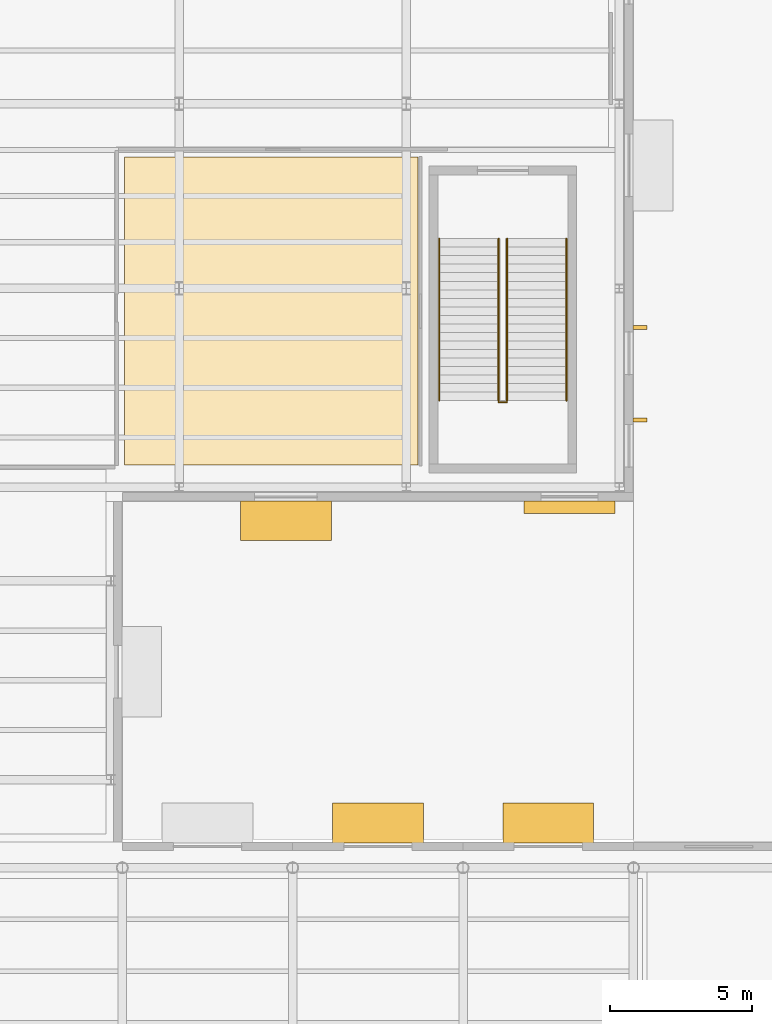
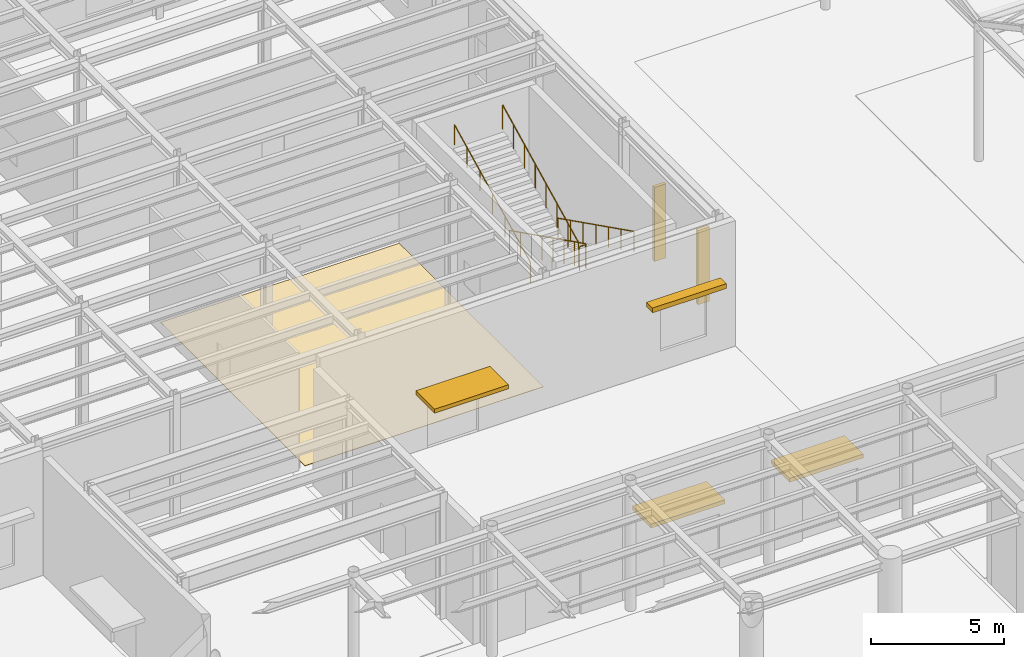
# One storey, part 112 of 118: 6 shading devices, 5 railings, 1 covering, 1 element without a shape of its own.
"""IFC4 building model written with IfcOpenShell, lengths in metres."""

from ifc_helpers import new_model, si_unit, direction, frame, origin, origin_2d, place, context, subcontext, project, spatial, polyline, rectangle, circle, outline, extrude, material, layer, layer_set, type_object, element, aggregate, save


model = new_model("IFC4")

# Units and contexts
model_context = context("Model", 3, precision=1e-05, world=origin(), true_north=direction((0.0, 1.0)))
body_context = subcontext(model_context, "Body", "Model", "MODEL_VIEW")
ifc_project = project(units=[si_unit("LENGTHUNIT", "METRE"), si_unit("AREAUNIT", "SQUARE_METRE"), si_unit("VOLUMEUNIT", "CUBIC_METRE"), si_unit("PLANEANGLEUNIT", "RADIAN"), si_unit("MASSUNIT", "GRAM", prefix="KILO")], contexts=[model_context])

# Site, building, storey
site_placement = place(None, origin())
site = spatial("IfcSite", under=ifc_project, at=site_placement, CompositionType="ELEMENT")
building_placement = place(site_placement, origin())
building = spatial("IfcBuilding", under=site, at=building_placement, Name="Kolvaren Corner Interchange", CompositionType="ELEMENT")
storey_placement = place(building_placement, origin())
storey = spatial("IfcBuildingStorey", under=building, at=storey_placement, Name="L01", CompositionType="ELEMENT", Elevation=0.0)

# Covering
ifc_material_1 = material(Name="Anti-Slip Heavy-Duty Epoxy Resin Flooring")
ifc_layer = layer(ifc_material_1, 0.01806640625)
ifc_layer_set = layer_set([ifc_layer], Name="Anti-Slip Heavy-Duty Epoxy Resin Flooring")
covering_type = type_object("IfcCoveringType", Name="COV-FLR-RES18", PredefinedType="FLOORING", material=ifc_layer_set)
covering_placement = place(storey_placement, origin())
element("IfcCovering", 1, at=covering_placement, inside=storey, type_object=covering_type, Name="L01 Cycle Repair Workshop Floor Finish", PredefinedType="FLOORING", context=body_context, shape_type="SweptSolid", body=[
    extrude(outline(polyline([(96.080078125, 85.280029296875), (106.419921875, 85.280029296875), (106.419921875, 96.1201171875), (96.080078125, 96.1201171875), (96.080078125, 85.280029296875)])), origin(), (0.0, 0.0, 1.0), 0.01806640625),
])

# Stair, railings
ifc_material_2 = material(Name="Concrete C35/45", Category="concrete")
stair_type = type_object("IfcStairType", Name="ST-CY-2200", PredefinedType="HALF_TURN_STAIR", material=ifc_material_2)
stair_placement = place(storey_placement, origin())
stair = element("IfcStair", 2, at=stair_placement, inside=storey, type_object=stair_type, Name="Cycle Hub East Mezzanine Exit Stair L01 to L02 Stair", PredefinedType="HALF_TURN_STAIR")
ifc_material_3 = material(Name="Powder-Coated Steel Stairwell Guardrail", Category="steel")
railing_type_1 = type_object("IfcRailingType", Name="RLT-STAIR-GRD1120", PredefinedType="GUARDRAIL", material=ifc_material_3)
railing_1_placement = place(storey_placement, frame((109.550048828125, 93.25, 0.14990234375)))
railing_1 = element("IfcRailing", 3, at=railing_1_placement, type_object=railing_type_1, Name="Cycle Hub East Mezzanine Exit Stair L01 Lower Flight Well Guardrail", PredefinedType="GUARDRAIL", context=body_context, shape_type="SweptSolid", body=[
    extrude(circle(Radius=0.02392578125, at=origin_2d()), frame((0.0, 0.0, 1.09619140625), z_axis=(0.0, -0.894419528903, 0.447228919365), x_axis=(1.0, 0.0, 0.0)), (0.0, 0.0, 1.0), 6.372802734375),
    extrude(circle(Radius=0.02001953125, at=origin_2d()), origin(), (0.0, 0.0, 1.0), 1.072021484375),
    extrude(circle(Radius=0.02001953125, at=origin_2d()), frame((0.0, -0.814208984375, 0.4072265625)), (0.0, 0.0, 1.0), 1.072021484375),
    extrude(circle(Radius=0.02001953125, at=origin_2d()), frame((0.0, -1.628662109375, 0.814208984375)), (0.0, 0.0, 1.0), 1.072021484375),
    extrude(circle(Radius=0.02001953125, at=origin_2d()), frame((0.0, -2.44287109375, 1.221435546875)), (0.0, 0.0, 1.0), 1.072021484375),
    extrude(circle(Radius=0.02001953125, at=origin_2d()), frame((0.0, -3.257080078125, 1.628662109375)), (0.0, 0.0, 1.0), 1.072021484375),
    extrude(circle(Radius=0.02001953125, at=origin_2d()), frame((0.0, -4.0712890625, 2.035888671875)), (0.0, 0.0, 1.0), 1.072021484375),
    extrude(circle(Radius=0.02001953125, at=origin_2d()), frame((0.0, -4.8857421875, 2.44287109375)), (0.0, 0.0, 1.0), 1.072021484375),
    extrude(circle(Radius=0.02001953125, at=origin_2d()), frame((0.0, -5.699951171875, 2.85009765625)), (0.0, 0.0, 1.0), 1.072021484375),
])
railing_2_placement = place(storey_placement, frame((109.5400390625, 87.489990234375, 3.0)))
railing_2 = element("IfcRailing", 4, at=railing_2_placement, type_object=railing_type_1, Name="Cycle Hub East Mezzanine Exit Stair L01 Half Landing Well Guardrail", PredefinedType="GUARDRAIL", context=body_context, shape_type="SweptSolid", body=[
    extrude(circle(Radius=0.02392578125, at=origin_2d()), frame((0.0, 0.0, 1.09619140625), z_axis=(-1.0, 0.0, 0.0), x_axis=(0.0, -1.0, 0.0)), (0.0, 0.0, 1.0), 0.280029296875),
    extrude(circle(Radius=0.02001953125, at=origin_2d()), origin(), (0.0, 0.0, 1.0), 1.072021484375),
    extrude(circle(Radius=0.02001953125, at=origin_2d()), frame((-0.280029296875, 0.0, 0.0)), (0.0, 0.0, 1.0), 1.072021484375),
])
railing_3_placement = place(storey_placement, frame((109.25, 87.550048828125, 3.14990234375)))
railing_3 = element("IfcRailing", 5, at=railing_3_placement, type_object=railing_type_1, Name="Cycle Hub East Mezzanine Exit Stair L01 Upper Flight Well Guardrail", PredefinedType="GUARDRAIL", context=body_context, shape_type="SweptSolid", body=[
    extrude(circle(Radius=0.02392578125, at=origin_2d()), frame((0.0, 0.0, 1.09619140625), z_axis=(0.0, 0.894419528903, 0.447228919365), x_axis=(-1.0, 0.0, 0.0)), (0.0, 0.0, 1.0), 6.372802734375),
    extrude(circle(Radius=0.02001953125, at=origin_2d()), origin(), (0.0, 0.0, 1.0), 1.072021484375),
    extrude(circle(Radius=0.02001953125, at=origin_2d()), frame((0.0, 0.814208984375, 0.4072265625)), (0.0, 0.0, 1.0), 1.072021484375),
    extrude(circle(Radius=0.02001953125, at=origin_2d()), frame((0.0, 1.628662109375, 0.814208984375)), (0.0, 0.0, 1.0), 1.072021484375),
    extrude(circle(Radius=0.02001953125, at=origin_2d()), frame((0.0, 2.44287109375, 1.221435546875)), (0.0, 0.0, 1.0), 1.072021484375),
    extrude(circle(Radius=0.02001953125, at=origin_2d()), frame((0.0, 3.257080078125, 1.628662109375)), (0.0, 0.0, 1.0), 1.072021484375),
    extrude(circle(Radius=0.02001953125, at=origin_2d()), frame((0.0, 4.0712890625, 2.035888671875)), (0.0, 0.0, 1.0), 1.072021484375),
    extrude(circle(Radius=0.02001953125, at=origin_2d()), frame((0.0, 4.8857421875, 2.44287109375)), (0.0, 0.0, 1.0), 1.072021484375),
    extrude(circle(Radius=0.02001953125, at=origin_2d()), frame((0.0, 5.699951171875, 2.85009765625)), (0.0, 0.0, 1.0), 1.072021484375),
])
ifc_material_4 = material(Name="Brushed Stainless Steel Stair Handrail", Category="steel")
railing_type_2 = type_object("IfcRailingType", Name="RLT-STAIR-HR950", PredefinedType="HANDRAIL", material=ifc_material_4)
railing_4_placement = place(storey_placement, frame((111.639892578125, 93.25, 0.14990234375)))
railing_4 = element("IfcRailing", 6, at=railing_4_placement, type_object=railing_type_2, Name="Cycle Hub East Mezzanine Exit Stair L01 Lower Flight Wall Handrail", PredefinedType="HANDRAIL", context=body_context, shape_type="SweptSolid", body=[
    extrude(circle(Radius=0.02197265625, at=origin_2d()), frame((0.0, 0.0, 0.927978515625), z_axis=(0.0, -0.894419528903, 0.447228919365), x_axis=(1.0, 0.0, 0.0)), (0.0, 0.0, 1.0), 6.372802734375),
    extrude(circle(Radius=0.01806640625, at=origin_2d()), origin(), (0.0, 0.0, 1.0), 0.906005859375),
    extrude(circle(Radius=0.01806640625, at=origin_2d()), frame((0.0, -0.949951171875, 0.47509765625)), (0.0, 0.0, 1.0), 0.906005859375),
    extrude(circle(Radius=0.01806640625, at=origin_2d()), frame((0.0, -1.89990234375, 0.949951171875)), (0.0, 0.0, 1.0), 0.906005859375),
    extrude(circle(Radius=0.01806640625, at=origin_2d()), frame((0.0, -2.85009765625, 1.425048828125)), (0.0, 0.0, 1.0), 0.906005859375),
    extrude(circle(Radius=0.01806640625, at=origin_2d()), frame((0.0, -3.800048828125, 1.900146484375)), (0.0, 0.0, 1.0), 0.906005859375),
    extrude(circle(Radius=0.01806640625, at=origin_2d()), frame((0.0, -4.75, 2.375)), (0.0, 0.0, 1.0), 0.906005859375),
    extrude(circle(Radius=0.01806640625, at=origin_2d()), frame((0.0, -5.699951171875, 2.85009765625)), (0.0, 0.0, 1.0), 0.906005859375),
])
railing_5_placement = place(storey_placement, frame((107.159912109375, 87.550048828125, 3.14990234375)))
railing_5 = element("IfcRailing", 7, at=railing_5_placement, type_object=railing_type_2, Name="Cycle Hub East Mezzanine Exit Stair L01 Upper Flight Wall Handrail", PredefinedType="HANDRAIL", context=body_context, shape_type="SweptSolid", body=[
    extrude(circle(Radius=0.02197265625, at=origin_2d()), frame((0.0, 0.0, 0.927978515625), z_axis=(0.0, 0.894419528903, 0.447228919365), x_axis=(-1.0, 0.0, 0.0)), (0.0, 0.0, 1.0), 6.372802734375),
    extrude(circle(Radius=0.01806640625, at=origin_2d()), origin(), (0.0, 0.0, 1.0), 0.906005859375),
    extrude(circle(Radius=0.01806640625, at=origin_2d()), frame((0.0, 0.949951171875, 0.47509765625)), (0.0, 0.0, 1.0), 0.906005859375),
    extrude(circle(Radius=0.01806640625, at=origin_2d()), frame((0.0, 1.89990234375, 0.949951171875)), (0.0, 0.0, 1.0), 0.906005859375),
    extrude(circle(Radius=0.01806640625, at=origin_2d()), frame((0.0, 2.85009765625, 1.425048828125)), (0.0, 0.0, 1.0), 0.906005859375),
    extrude(circle(Radius=0.01806640625, at=origin_2d()), frame((0.0, 3.800048828125, 1.900146484375)), (0.0, 0.0, 1.0), 0.906005859375),
    extrude(circle(Radius=0.01806640625, at=origin_2d()), frame((0.0, 4.75, 2.375)), (0.0, 0.0, 1.0), 0.906005859375),
    extrude(circle(Radius=0.01806640625, at=origin_2d()), frame((0.0, 5.699951171875, 2.85009765625)), (0.0, 0.0, 1.0), 0.906005859375),
])
aggregate(stair, [railing_1, railing_2, railing_3, railing_4, railing_5])

# Shading devices
ifc_material_5 = material(Name="Glazed Ochre Ceramic Baguette Solar Louvre")
shading_device_type_1 = type_object("IfcShadingDeviceType", Name="SHD-BAG-H450", PredefinedType="JALOUSIE", material=ifc_material_5)
shading_device_placement = place(storey_placement, frame((111.75, 83.7900390625, 3.1298828125), z_axis=(0.0, 0.0, 1.0), x_axis=(1.0, 0.0, 0.0)))
element("IfcShadingDevice", 8, at=shading_device_placement, inside=storey, type_object=shading_device_type_1, Name="L01 Ceramic Solar Shading 0247", PredefinedType="JALOUSIE", context=body_context, shape_type="SweptSolid", body=[
    extrude(rectangle(XDim=3.199951171875, YDim=0.449951171875, at=origin_2d()), origin(), (0.0, 0.0, 1.0), 0.219970703125),
])
ifc_material_6 = material(Name="Anodised Aluminium Entrance Rain Canopy", Category="aluminium")
shading_device_type_2 = type_object("IfcShadingDeviceType", Name="SHD-CAN-1400", PredefinedType="AWNING", material=ifc_material_6)
for number, where, z_axis, x_axis, name in (
    (9, (105.0, 72.675048828125, 2.66015625), (0.0, 0.0, 1.0), (-1.0, 0.0, 0.0), "Entrance Monsoon Rain Canopy 023"),
    (10, (111.0, 72.675048828125, 2.66015625), (0.0, 0.0, 1.0), (-1.0, 0.0, 0.0), "Entrance Monsoon Rain Canopy 024"),
    (11, (101.760009765625, 83.31494140625, 2.60986328125), (0.0, 0.0, 1.0), (1.0, 0.0, 0.0), "Entrance Monsoon Rain Canopy 026"),
):
    element("IfcShadingDevice", number, at=place(storey_placement, frame(where, z_axis=z_axis, x_axis=x_axis)), inside=storey, type_object=shading_device_type_2, Name=name, PredefinedType="AWNING", context=body_context, shape_type="SweptSolid", body=[
        extrude(rectangle(XDim=3.199951171875, YDim=1.39990234375, at=origin_2d()), origin(), (0.0, 0.0, 1.0), 0.179931640625),
    ])
ifc_material_7 = material(Name="Vertical Terracotta Solar Fin", Category="masonry")
shading_device_type_3 = type_object("IfcShadingDeviceType", Name="SHD-FIN-V500", PredefinedType="USERDEFINED", material=ifc_material_7)
for number, where, z_axis, x_axis, name in (
    (12, (114.235107421875, 86.861083984375, 0.199951171875), (0.0, 0.0, 1.0), (0.0, 1.0, 0.0), "L01 Ceramic Solar Shading 0248"),
    (13, (114.235107421875, 90.123291015625, 0.199951171875), (0.0, 0.0, 1.0), (0.0, 1.0, 0.0), "L01 Ceramic Solar Shading 0249"),
):
    element("IfcShadingDevice", number, at=place(storey_placement, frame(where, z_axis=z_axis, x_axis=x_axis)), inside=storey, type_object=shading_device_type_3, Name=name, ObjectType="SUNSHADE", PredefinedType="USERDEFINED", context=body_context, shape_type="SweptSolid", body=[
        extrude(rectangle(XDim=0.139892578125, YDim=0.5, at=origin_2d()), origin(), (0.0, 0.0, 1.0), 3.39990234375),
    ])

save(model, "model.ifc")
